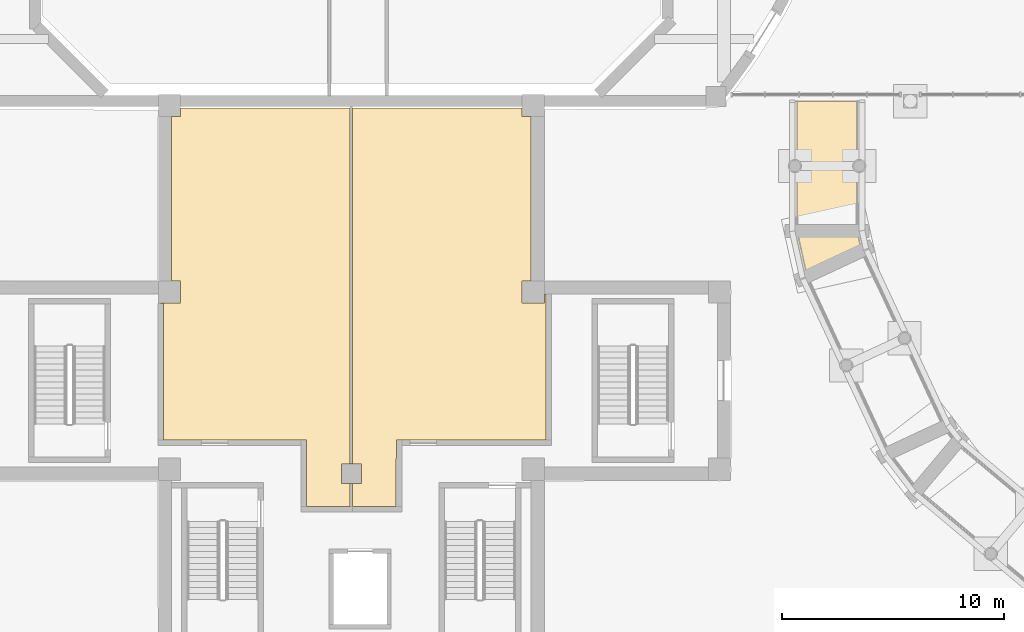
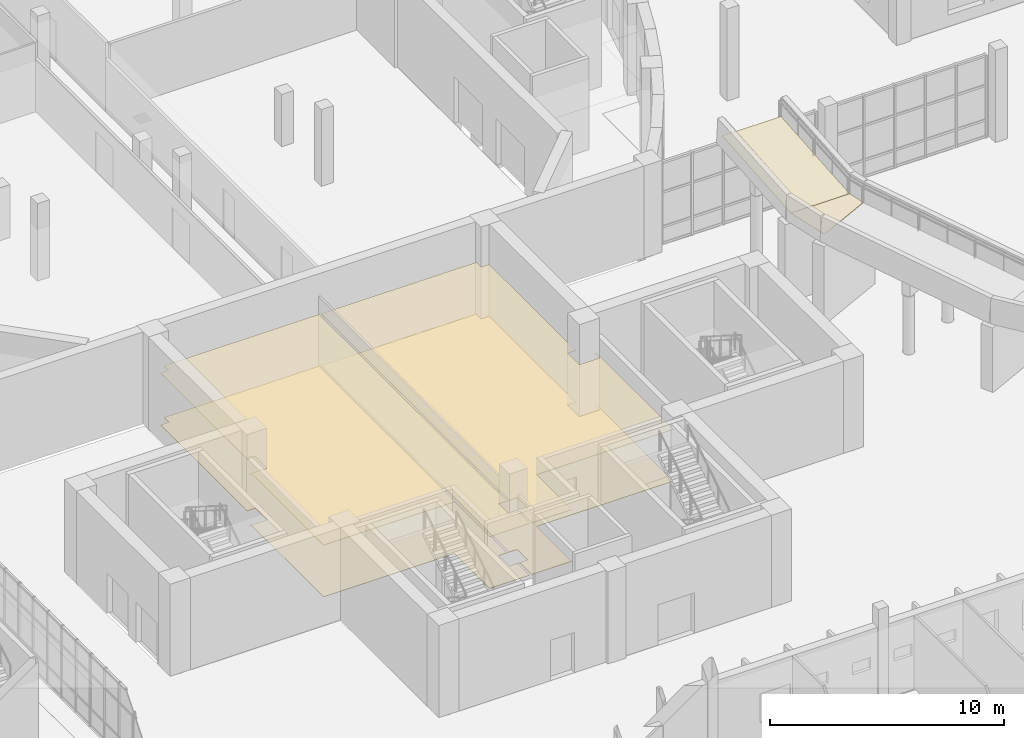
# One storey, part 84 of 110: 6 coverings.
"""IFC4 building model written with IfcOpenShell, lengths in metres."""

from ifc_helpers import new_model, si_unit, direction, frame, origin, place, context, subcontext, project, spatial, polyline, outline, extrude, material, layer, layer_set, type_object, element, save


model = new_model("IFC4")

# Units and contexts
model_context = context("Model", 3, precision=1e-05, world=origin(), true_north=direction((0.0, 1.0)))
body_context = subcontext(model_context, "Body", "Model", "MODEL_VIEW")
ifc_project = project(units=[si_unit("LENGTHUNIT", "METRE"), si_unit("AREAUNIT", "SQUARE_METRE"), si_unit("VOLUMEUNIT", "CUBIC_METRE"), si_unit("PLANEANGLEUNIT", "RADIAN"), si_unit("MASSUNIT", "GRAM", prefix="KILO")], contexts=[model_context])

# Site, building, storey
site_placement = place(None, origin())
site = spatial("IfcSite", under=ifc_project, at=site_placement, CompositionType="ELEMENT")
building_placement = place(site_placement, origin())
building = spatial("IfcBuilding", under=site, at=building_placement, Name="Larchfold Concert Hall", CompositionType="ELEMENT")
storey_placement = place(building_placement, origin())
storey = spatial("IfcBuildingStorey", under=building, at=storey_placement, Name="L00", CompositionType="ELEMENT", Elevation=0.0)

# Coverings
ifc_material_1 = material(Name="Plasterboard ceiling lining")
ifc_layer_1 = layer(ifc_material_1, 0.030029296875)
ifc_layer_set_1 = layer_set([ifc_layer_1], Name="Plasterboard ceiling lining")
covering_type_1 = type_object("IfcCoveringType", Name="Ceiling suspended plasterboard 30", PredefinedType="CEILING", material=ifc_layer_set_1)
covering_1_placement = place(storey_placement, frame((0.0, 0.0, 2.690185546875)))
element("IfcCovering", 1, at=covering_1_placement, inside=storey, type_object=covering_type_1, Name="Ceiling Loading Dock Bay 1", PredefinedType="CEILING", context=body_context, shape_type="SweptSolid", body=[
    extrude(outline(polyline([(34.0, 50.300048828125), (34.0, 50.280029296875), (34.125, 50.280029296875), (34.125, 44.125), (40.574951171875, 44.125), (40.574951171875, 41.125), (42.550048828125, 41.125), (42.550048828125, 42.130126953125), (42.60009765625, 42.130126953125), (42.60009765625, 42.150146484375), (42.150146484375, 42.150146484375), (42.150146484375, 43.050048828125), (42.60009765625, 43.050048828125), (42.60009765625, 43.070068359375), (42.550048828125, 43.070068359375), (42.550048828125, 59.099853515625), (34.89990234375, 59.099853515625), (34.89990234375, 58.699951171875), (34.5, 58.699951171875), (34.5, 51.300048828125), (34.89990234375, 51.300048828125), (34.89990234375, 50.300048828125), (34.0, 50.300048828125)])), origin(), (0.0, 0.0, 1.0), 0.030029296875),
])
covering_2_placement = place(storey_placement, frame((0.0, 0.0, 2.690185546875)))
element("IfcCovering", 2, at=covering_2_placement, inside=storey, type_object=covering_type_1, Name="Ceiling Loading Dock Bay 2", PredefinedType="CEILING", context=body_context, shape_type="SweptSolid", body=[
    extrude(outline(polyline([(42.650146484375, 42.130126953125), (42.64990234375, 41.1240234375), (44.625, 41.1240234375), (44.6259765625, 44.1240234375), (51.3759765625, 44.1240234375), (51.375, 50.699951171875), (51.300048828125, 50.699951171875), (51.300048828125, 50.300048828125), (50.300048828125, 50.300048828125), (50.300048828125, 51.300048828125), (50.699951171875, 51.300048828125), (50.699951171875, 58.699951171875), (50.300048828125, 58.699951171875), (50.300048828125, 59.099853515625), (42.650146484375, 59.099853515625), (42.650146484375, 43.070068359375), (42.60009765625, 43.070068359375), (42.60009765625, 43.050048828125), (43.050048828125, 43.050048828125), (43.050048828125, 42.150146484375), (42.60009765625, 42.150146484375), (42.60009765625, 42.130126953125), (42.650146484375, 42.130126953125)])), origin(), (0.0, 0.0, 1.0), 0.030029296875),
])
ifc_material_2 = material(Name="Linoleum sheet")
ifc_layer_2 = layer(ifc_material_2, 0.02001953125)
ifc_layer_set_2 = layer_set([ifc_layer_2], Name="Linoleum sheet")
covering_type_2 = type_object("IfcCoveringType", Name="Floor finish vinyl 20", PredefinedType="FLOORING", material=ifc_layer_set_2)
covering_3_placement = place(storey_placement, origin())
element("IfcCovering", 3, at=covering_3_placement, inside=storey, type_object=covering_type_2, Name="Floor finish Loading Dock Bay 1", PredefinedType="FLOORING", context=body_context, shape_type="SweptSolid", body=[
    extrude(outline(polyline([(34.0, 50.300048828125), (34.0, 50.280029296875), (34.125, 50.280029296875), (34.125, 44.125), (40.574951171875, 44.125), (40.574951171875, 41.125), (42.550048828125, 41.125), (42.550048828125, 42.130126953125), (42.60009765625, 42.130126953125), (42.60009765625, 42.150146484375), (42.150146484375, 42.150146484375), (42.150146484375, 43.050048828125), (42.60009765625, 43.050048828125), (42.60009765625, 43.070068359375), (42.550048828125, 43.070068359375), (42.550048828125, 59.099853515625), (34.89990234375, 59.099853515625), (34.89990234375, 58.699951171875), (34.5, 58.699951171875), (34.5, 51.300048828125), (34.89990234375, 51.300048828125), (34.89990234375, 50.300048828125), (34.0, 50.300048828125)])), origin(), (0.0, 0.0, 1.0), 0.02001953125),
])
covering_4_placement = place(storey_placement, origin())
element("IfcCovering", 4, at=covering_4_placement, inside=storey, type_object=covering_type_2, Name="Floor finish Loading Dock Bay 2", PredefinedType="FLOORING", context=body_context, shape_type="SweptSolid", body=[
    extrude(outline(polyline([(42.650146484375, 42.130126953125), (42.64990234375, 41.1240234375), (44.625, 41.1240234375), (44.6259765625, 44.1240234375), (51.3759765625, 44.1240234375), (51.375, 50.699951171875), (51.300048828125, 50.699951171875), (51.300048828125, 50.300048828125), (50.300048828125, 50.300048828125), (50.300048828125, 51.300048828125), (50.699951171875, 51.300048828125), (50.699951171875, 58.699951171875), (50.300048828125, 58.699951171875), (50.300048828125, 59.099853515625), (42.650146484375, 59.099853515625), (42.650146484375, 43.070068359375), (42.60009765625, 43.070068359375), (42.60009765625, 43.050048828125), (43.050048828125, 43.050048828125), (43.050048828125, 42.150146484375), (42.60009765625, 42.150146484375), (42.60009765625, 42.130126953125), (42.650146484375, 42.130126953125)])), origin(), (0.0, 0.0, 1.0), 0.02001953125),
])
ifc_material_3 = material(Name="Non-slip broom-finished concrete topping", Category="concrete")
ifc_layer_3 = layer(ifc_material_3, 0.030029296875)
ifc_layer_set_3 = layer_set([ifc_layer_3], Name="Non-slip broom-finished concrete topping")
covering_type_3 = type_object("IfcCoveringType", Name="Ramp surface non-slip 30", PredefinedType="FLOORING", material=ifc_layer_set_3)
covering_5_placement = place(storey_placement, frame((63.060546875, 51.466552734375, 4.35009765625), z_axis=(0.0, 0.0, 1.0), x_axis=(-0.216505242245, 0.97628145536, 0.0)))
element("IfcCovering", 5, at=covering_5_placement, inside=storey, type_object=covering_type_3, Name="Ramp surface RL06", PredefinedType="FLOORING", context=body_context, shape_type="SweptSolid", body=[
    extrude(outline(polyline([(0.0, 0.0), (2.127862376898717, 5.551115123125783e-17), (1.4999654597524115, -2.8313592305235376), (0.6275034114107397, -2.831183150152398), (0.0, 0.0)])), origin(), (0.0, 0.0, -1.0), 0.030029296875),
])
covering_6_placement = place(storey_placement, frame((62.599853515625, 53.5439453125, 4.35009765625), z_axis=(0.0, -0.081690532931, 0.996657743074), x_axis=(0.0, 0.996657743074, 0.081690532931)))
element("IfcCovering", 6, at=covering_6_placement, inside=storey, type_object=covering_type_3, Name="Ramp surface RF07", PredefinedType="FLOORING", context=body_context, shape_type="SweptSolid", body=[
    extrude(outline(polyline([(0.0, 0.0), (5.875594778592869, 0.0), (5.875594778592869, -2.89990234375), (0.0, -2.89990234375), (0.0, 0.0)])), origin(), (0.0, 0.0, -1.0), 0.030029296875),
])

save(model, "model.ifc")
